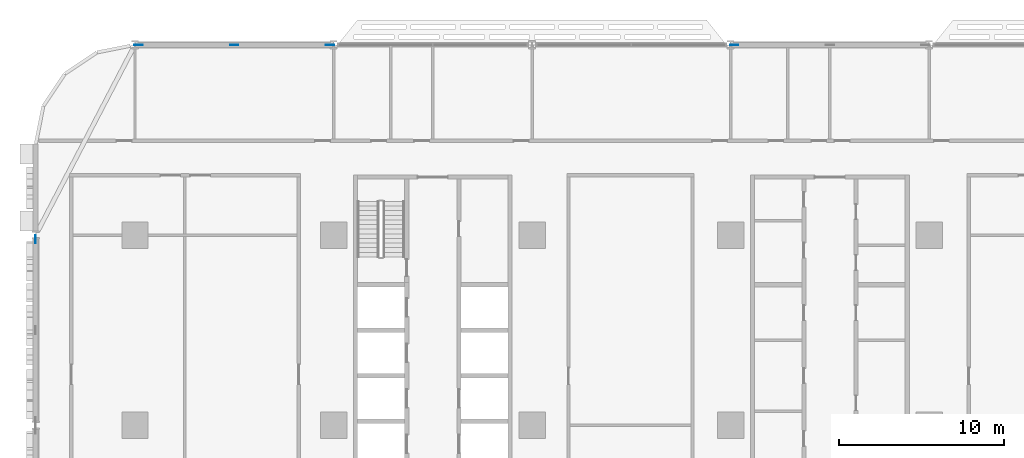
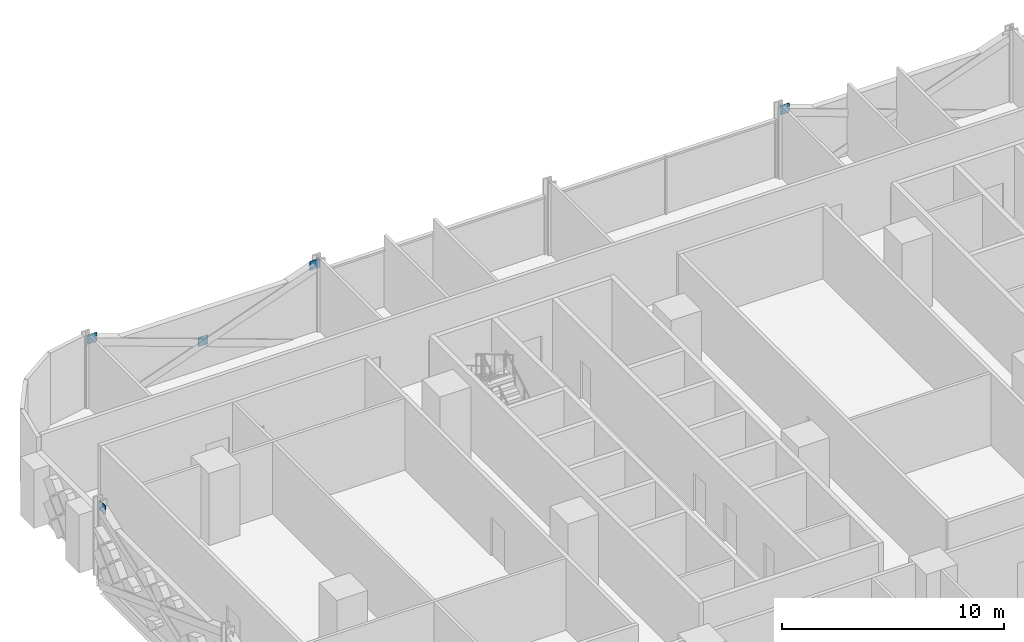
# One storey, part 19 of 29: 5 discrete accessories.
"""IFC4 building model written with IfcOpenShell, lengths in metres."""

from ifc_helpers import new_model, si_unit, direction, frame, origin, origin_2d, place, context, subcontext, project, spatial, rectangle, extrude, material, layer, layer_set, type_object, element, save


model = new_model("IFC4")

# Units and contexts
model_context = context("Model", 3, precision=1e-05, world=origin(), true_north=direction((0.0, 1.0)))
body_context = subcontext(model_context, "Body", "Model", "MODEL_VIEW")
ifc_project = project(units=[si_unit("LENGTHUNIT", "METRE"), si_unit("AREAUNIT", "SQUARE_METRE"), si_unit("VOLUMEUNIT", "CUBIC_METRE"), si_unit("PLANEANGLEUNIT", "RADIAN"), si_unit("MASSUNIT", "GRAM", prefix="KILO")], contexts=[model_context])

# Site, building, storey
site_placement = place(None, origin())
site = spatial("IfcSite", under=ifc_project, at=site_placement, CompositionType="ELEMENT")
building_placement = place(site_placement, origin())
building = spatial("IfcBuilding", under=site, at=building_placement, Name="Mahtab Terrace Research Tower", CompositionType="ELEMENT")
storey_placement = place(building_placement, frame((0.0, 0.0, 20.10009765625)))
storey = spatial("IfcBuildingStorey", under=building, at=storey_placement, Name="L04", CompositionType="ELEMENT", Elevation=20.10009765625)

# Discrete accessories
ifc_material = material(Name="Steel ASTM A992 Gr 50", Category="steel")
ifc_layer = layer(ifc_material, 0.030029296875)
ifc_layer_set = layer_set([ifc_layer], Name="Gusset plate 500x500x30")
discrete_accessory_type = type_object("IfcDiscreteAccessoryType", Name="Gusset plate 500x500x30", PredefinedType="USERDEFINED", material=ifc_layer_set)
for number, where, z_axis, x_axis, name in (
    (1, (-41.7841796875, 23.0, 3.331298828125), (0.0, 0.0, 1.0), (1.0, 0.0, 0.0), "Gusset plate"),
    (2, (-36.0, 23.0, 1.181396484375), (0.0, 0.0, 1.0), (1.0, 0.0, 0.0), "Gusset plate"),
    (3, (-30.2158203125, 23.0, 3.331298828125), (0.0, 0.0, 1.0), (1.0, 0.0, 0.0), "Gusset plate"),
    (4, (-5.7841796875, 23.0, 3.331298828125), (0.0, 0.0, 1.0), (1.0, 0.0, 0.0), "Gusset plate"),
    (5, (-48.0, 11.251220703125, 3.331298828125), (0.0, 0.0, 1.0), (0.0, 1.0, 0.0), "Gusset plate"),
):
    element("IfcDiscreteAccessory", number, at=place(storey_placement, frame(where, z_axis=z_axis, x_axis=x_axis)), inside=storey, type_object=discrete_accessory_type, Name=name, ObjectType="GUSSET PLATE", PredefinedType="USERDEFINED", context=body_context, shape_type="SweptSolid", body=[
        extrude(rectangle(XDim=0.5, YDim=0.030029296875, at=origin_2d()), origin(), (0.0, 0.0, 1.0), 0.5),
    ])

save(model, "model.ifc")
